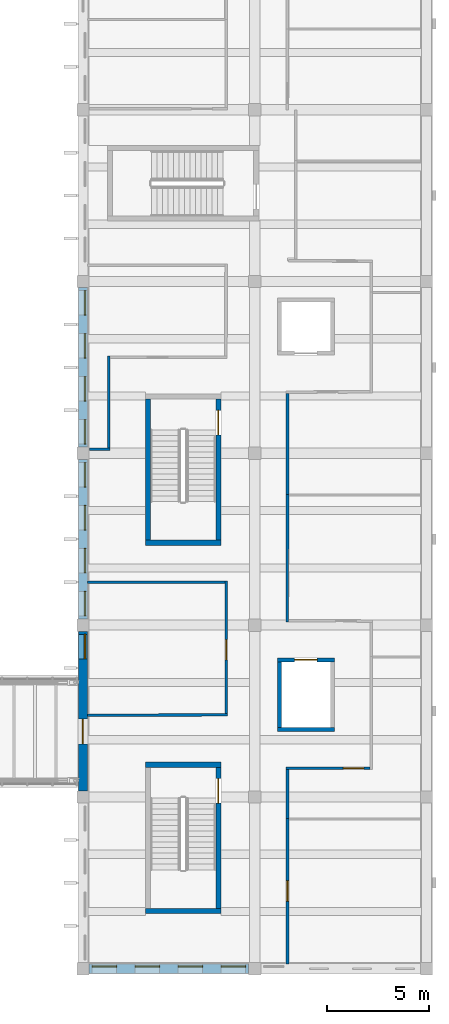
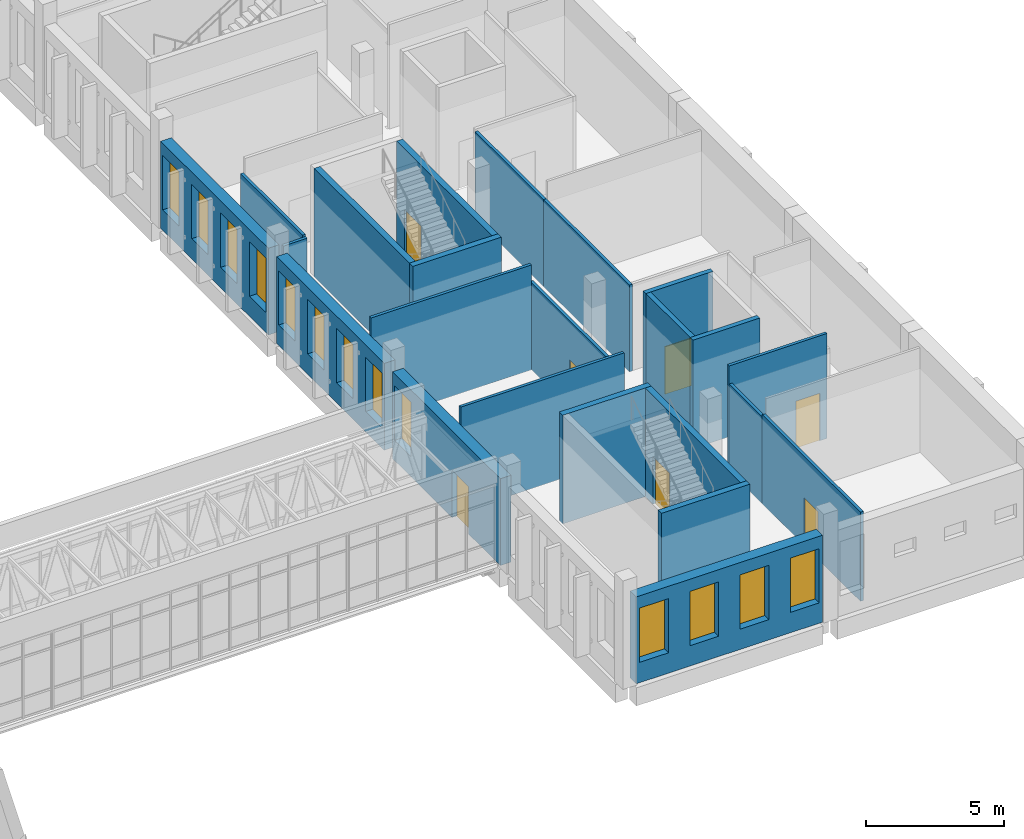
# One storey, part 62 of 119: 23 walls, 13 windows, 7 doors, 20 openings.
"""IFC4 building model written with IfcOpenShell, lengths in metres."""

from ifc_helpers import new_model, si_unit, direction, frame, frame_2d, origin, place, context, subcontext, project, spatial, rectangle, extrude, material, layer, layer_set, type_object, element, fill, save


model = new_model("IFC4")

# Units and contexts
model_context = context("Model", 3, precision=1e-05, world=origin(), true_north=direction((0.0, 1.0)))
body_context = subcontext(model_context, "Body", "Model", "MODEL_VIEW")
ifc_project = project(units=[si_unit("LENGTHUNIT", "METRE"), si_unit("AREAUNIT", "SQUARE_METRE"), si_unit("VOLUMEUNIT", "CUBIC_METRE"), si_unit("PLANEANGLEUNIT", "RADIAN"), si_unit("MASSUNIT", "GRAM", prefix="KILO")], contexts=[model_context])

# Site, building, storey
site_placement = place(None, origin())
site = spatial("IfcSite", under=ifc_project, at=site_placement, CompositionType="ELEMENT")
building_placement = place(site_placement, origin())
building = spatial("IfcBuilding", under=site, at=building_placement, Name="Larchfold Concert Hall", CompositionType="ELEMENT")
storey_placement = place(building_placement, frame((0.0, 0.0, 4.800048828125)))
storey = spatial("IfcBuildingStorey", under=building, at=storey_placement, Name="L01", CompositionType="ELEMENT", Elevation=4.800048828125)

# Wall, opening, door
ifc_material_1 = material(Name="Plasterboard partition on steel studs", Category="steel")
ifc_layer_1 = layer(ifc_material_1, 0.125)
ifc_layer_set_1 = layer_set([ifc_layer_1], Name="Plasterboard partition on steel studs")
wall_type_1 = type_object("IfcWallType", Name="Corridor partition 125 EI 60", PredefinedType="PARTITIONING", material=ifc_layer_set_1)
wall_1_placement = place(storey_placement, frame((94.60107421875, 7.94091796875, 0.0), z_axis=(0.0, 0.0, 1.0), x_axis=(-0.0001372401, -0.999999990583, 0.0)))
wall_1 = element("IfcWall", 1, at=wall_1_placement, inside=storey, type_object=wall_type_1, Name="Partition IW0026", PredefinedType="PARTITIONING", context=body_context, shape_type="SweptSolid", body=[
    extrude(rectangle(XDim=7.11572265625, YDim=0.125, at=frame_2d((3.557861328125, 0.0))), origin(), (0.0, 0.0, 1.0), 3.93994140625),
])
opening_1_placement = place(wall_1_placement, frame((3.04052734375, 0.0, 0.0)))
opening_1 = element("IfcOpeningElement", 2, at=opening_1_placement, cuts=wall_1, Name="Opening D-L01-120", PredefinedType="OPENING", context=body_context, shape_type="SweptSolid", body=[
    extrude(rectangle(XDim=1.0, YDim=2.10009765625, at=frame_2d((0.5, 1.050048828125))), frame((0.0, 0.072509765625, 0.0), z_axis=(0.0, -1.0, 0.0), x_axis=(1.0, 0.0, 0.0)), (0.0, 0.0, 1.0), 0.14501953125),
])
ifc_material_2 = material(Name="Timber door leaf", Category="wood")
door_type_1 = type_object("IfcDoorType", Name="Dressing room door 1000 x 2100 FD30S", OperationType="SINGLE_SWING_LEFT", PredefinedType="DOOR", material=ifc_material_2)
door_1_placement = place(opening_1_placement, origin())
door_1 = element("IfcDoor", 3, at=door_1_placement, inside=storey, type_object=door_type_1, Name="Door D-L01-120", OperationType="SINGLE_SWING_LEFT", OverallHeight=2.10009765625, OverallWidth=1.0, PredefinedType="DOOR", context=body_context, shape_type="SweptSolid", body=[
    extrude(rectangle(XDim=1.0, YDim=2.10009765625, at=frame_2d((0.5, 1.050048828125))), frame((0.0, 0.02490234375, 0.0), z_axis=(0.0, -1.0, 0.0), x_axis=(1.0, 0.0, 0.0)), (0.0, 0.0, 1.0), 0.050048828125),
])
fill(opening_1, door_1)

wall_2_placement = place(storey_placement, frame((98.636474609375, 10.40087890625, 0.0), z_axis=(0.0, 0.0, 1.0), x_axis=(-0.999998507473, -0.001727730516, 0.0)))
wall_2 = element("IfcWall", 4, at=wall_2_placement, inside=storey, type_object=wall_type_1, Name="Partition IW0028", PredefinedType="PARTITIONING", context=body_context, shape_type="SweptSolid", body=[
    extrude(rectangle(XDim=4.097900390625, YDim=0.125, at=frame_2d((2.048828125, 0.0))), origin(), (0.0, 0.0, 1.0), 4.639892578125),
])
opening_2_placement = place(wall_2_placement, frame((0.305908203125, 0.0, 0.0)))
opening_2 = element("IfcOpeningElement", 5, at=opening_2_placement, cuts=wall_2, Name="Opening D-L01-121", PredefinedType="OPENING", context=body_context, shape_type="SweptSolid", body=[
    extrude(rectangle(XDim=1.0, YDim=2.10009765625, at=frame_2d((0.5, 1.050048828125))), frame((0.0, 0.072509765625, 0.0), z_axis=(0.0, -1.0, 0.0), x_axis=(1.0, 0.0, 0.0)), (0.0, 0.0, 1.0), 0.14501953125),
])
door_2_placement = place(opening_2_placement, origin())
door_2 = element("IfcDoor", 6, at=door_2_placement, inside=storey, type_object=door_type_1, Name="Door D-L01-121", OperationType="SINGLE_SWING_RIGHT", OverallHeight=2.10009765625, OverallWidth=1.0, PredefinedType="DOOR", context=body_context, shape_type="SweptSolid", body=[
    extrude(rectangle(XDim=1.0, YDim=2.10009765625, at=frame_2d((0.5, 1.050048828125))), frame((0.0, 0.02490234375, 0.0), z_axis=(0.0, -1.0, 0.0), x_axis=(1.0, 0.0, 0.0)), (0.0, 0.0, 1.0), 0.050048828125),
])
fill(opening_2, door_2)

# Walls
wall_3_placement = place(storey_placement, frame((94.60107421875, 10.33154296875, 0.0), z_axis=(0.0, 0.0, 1.0), x_axis=(0.0, -1.0, 0.0)))
element("IfcWall", 7, at=wall_3_placement, inside=storey, type_object=wall_type_1, Name="Partition IW0029", PredefinedType="PARTITIONING", context=body_context, shape_type="SweptSolid", body=[
    extrude(rectangle(XDim=2.390625, YDim=0.125, at=frame_2d((1.1953125, 0.0))), origin(), (0.0, 0.0, 1.0), 3.840087890625),
])
wall_4_placement = place(storey_placement, frame((84.8251953125, 13.0, 0.0), z_axis=(0.0, 0.0, 1.0), x_axis=(0.999999127538, 0.001320955649, 0.0)))
element("IfcWall", 8, at=wall_4_placement, inside=storey, type_object=wall_type_1, Name="Partition IW0030", PredefinedType="PARTITIONING", context=body_context, shape_type="SweptSolid", body=[
    extrude(rectangle(XDim=6.83837890625, YDim=0.125, at=frame_2d((3.419189453125, 0.0))), origin(), (0.0, 0.0, 1.0), 4.639892578125),
])

# Wall, opening, door
wall_5_placement = place(storey_placement, frame((91.60107421875, 13.071533203125, 0.0), z_axis=(0.0, 0.0, 1.0), x_axis=(-0.000639506321, 0.999999795516, 0.0)))
wall_5 = element("IfcWall", 9, at=wall_5_placement, inside=storey, type_object=wall_type_1, Name="Partition IW0031", PredefinedType="PARTITIONING", context=body_context, shape_type="SweptSolid", body=[
    extrude(rectangle(XDim=6.489990234375, YDim=0.125, at=frame_2d((3.2451171875, 0.0))), origin(), (0.0, 0.0, 1.0), 3.840087890625),
])
opening_3_placement = place(wall_5_placement, frame((2.62353515625, 0.0, 0.0)))
opening_3 = element("IfcOpeningElement", 10, at=opening_3_placement, cuts=wall_5, Name="Opening D-L01-122", PredefinedType="OPENING", context=body_context, shape_type="SweptSolid", body=[
    extrude(rectangle(XDim=1.0, YDim=2.10009765625, at=frame_2d((0.5, 1.050048828125))), frame((0.0, 0.072509765625, 0.0), z_axis=(0.0, -1.0, 0.0), x_axis=(1.0, 0.0, 0.0)), (0.0, 0.0, 1.0), 0.14501953125),
])
door_3_placement = place(opening_3_placement, origin())
door_3 = element("IfcDoor", 11, at=door_3_placement, inside=storey, type_object=door_type_1, Name="Door D-L01-122", OperationType="SINGLE_SWING_RIGHT", OverallHeight=2.10009765625, OverallWidth=1.0, PredefinedType="DOOR", context=body_context, shape_type="SweptSolid", body=[
    extrude(rectangle(XDim=1.0, YDim=2.10009765625, at=frame_2d((0.5, 1.050048828125))), frame((0.0, 0.02490234375, 0.0), z_axis=(0.0, -1.0, 0.0), x_axis=(1.0, 0.0, 0.0)), (0.0, 0.0, 1.0), 0.050048828125),
])
fill(opening_3, door_3)

# Walls
wall_6_placement = place(storey_placement, frame((91.534423828125, 19.4990234375, 0.0), z_axis=(0.0, 0.0, 1.0), x_axis=(-0.999999989407, 0.000145555109, 0.0)))
element("IfcWall", 12, at=wall_6_placement, inside=storey, type_object=wall_type_1, Name="Partition IW0032", PredefinedType="PARTITIONING", context=body_context, shape_type="SweptSolid", body=[
    extrude(rectangle(XDim=6.709228515625, YDim=0.125, at=frame_2d((3.3544921875, 0.0))), origin(), (0.0, 0.0, 1.0), 4.639892578125),
])
wall_7_placement = place(storey_placement, frame((94.60009765625, 23.781982421875, 0.0), z_axis=(0.0, 0.0, 1.0), x_axis=(-0.00019576367, -0.999999980838, 0.0)))
element("IfcWall", 13, at=wall_7_placement, inside=storey, type_object=wall_type_1, Name="Partition IW0033", PredefinedType="PARTITIONING", context=body_context, shape_type="SweptSolid", body=[
    extrude(rectangle(XDim=6.235595703125, YDim=0.125, at=frame_2d((3.11767578125, 0.0))), origin(), (0.0, 0.0, 1.0), 3.840087890625),
])
wall_8_placement = place(storey_placement, frame((94.60009765625, 28.7314453125, 0.0), z_axis=(0.0, 0.0, 1.0), x_axis=(0.0, -1.0, 0.0)))
element("IfcWall", 14, at=wall_8_placement, inside=storey, type_object=wall_type_1, Name="Partition IW0038", PredefinedType="PARTITIONING", context=body_context, shape_type="SweptSolid", body=[
    extrude(rectangle(XDim=4.949462890625, YDim=0.125, at=frame_2d((2.474609375, 0.0))), origin(), (0.0, 0.0, 1.0), 3.840087890625),
])
wall_9_placement = place(storey_placement, frame((84.920166015625, 26.000244140625, 0.0), z_axis=(0.0, 0.0, 1.0), x_axis=(0.999956395289, 0.009338496687, 0.0)))
element("IfcWall", 15, at=wall_9_placement, inside=storey, type_object=wall_type_1, Name="Partition IW0039", PredefinedType="PARTITIONING", context=body_context, shape_type="SweptSolid", body=[
    extrude(rectangle(XDim=0.993408203125, YDim=0.125, at=frame_2d((0.49658203125, 0.0))), origin(), (0.0, 0.0, 1.0), 3.840087890625),
])
wall_10_placement = place(storey_placement, frame((85.85107421875, 26.071533203125, 0.0), z_axis=(0.0, 0.0, 1.0), x_axis=(0.0, 1.0, 0.0)))
element("IfcWall", 16, at=wall_10_placement, inside=storey, type_object=wall_type_1, Name="Partition IW0040", PredefinedType="PARTITIONING", context=body_context, shape_type="SweptSolid", body=[
    extrude(rectangle(XDim=4.489990234375, YDim=0.125, at=frame_2d((2.2451171875, 0.0))), origin(), (0.0, 0.0, 1.0), 3.93994140625),
])
ifc_material_3 = material(Name="Concrete C40/50", Category="concrete")
ifc_layer_2 = layer(ifc_material_3, 0.199951171875)
ifc_layer_set_2 = layer_set([ifc_layer_2], Name="Concrete C40/50")
wall_type_2 = type_object("IfcWallType", Name="Wall RC 200 lift shaft", PredefinedType="SOLIDWALL", material=ifc_layer_set_2)
wall_11_placement = place(storey_placement, frame((94.10009765625, 12.300048828125, 0.0), z_axis=(0.0, 0.0, 1.0), x_axis=(1.0, 0.0, 0.0)))
element("IfcWall", 17, at=wall_11_placement, inside=storey, type_object=wall_type_2, Name="Wall W0164", PredefinedType="SOLIDWALL", context=body_context, shape_type="SweptSolid", body=[
    extrude(rectangle(XDim=2.7998046875, YDim=0.199951171875, at=frame_2d((1.39990234375, 0.0))), origin(), (0.0, 0.0, 1.0), 4.800048828125),
])

# Wall, opening, door
wall_12_placement = place(storey_placement, frame((94.10009765625, 15.699951171875, 0.0), z_axis=(0.0, 0.0, 1.0), x_axis=(1.0, 0.0, 0.0)))
wall_12 = element("IfcWall", 18, at=wall_12_placement, inside=storey, type_object=wall_type_2, Name="Wall W0165", PredefinedType="SOLIDWALL", context=body_context, shape_type="SweptSolid", body=[
    extrude(rectangle(XDim=2.7998046875, YDim=0.199951171875, at=frame_2d((1.39990234375, 0.0))), origin(), (0.0, 0.0, 1.0), 4.800048828125),
])
opening_4_placement = place(wall_12_placement, frame((0.849853515625, 0.0, 0.0)))
opening_4 = element("IfcOpeningElement", 19, at=opening_4_placement, cuts=wall_12, Name="Opening LD-LF06", PredefinedType="OPENING", context=body_context, shape_type="SweptSolid", body=[
    extrude(rectangle(XDim=1.10009765625, YDim=2.10009765625, at=frame_2d((0.550048828125, 1.050048828125))), frame((0.0, 0.10986328125, 0.0), z_axis=(0.0, -1.0, 0.0), x_axis=(1.0, 0.0, 0.0)), (0.0, 0.0, 1.0), 0.219970703125),
])
ifc_material_4 = material(Name="Stainless steel sliding leaves", Category="steel")
door_type_2 = type_object("IfcDoorType", Name="Lift landing door sliding 1100 x 2100", OperationType="SLIDING_TO_LEFT", PredefinedType="DOOR", material=ifc_material_4)
door_4_placement = place(opening_4_placement, origin())
door_4 = element("IfcDoor", 20, at=door_4_placement, inside=storey, type_object=door_type_2, Name="Lift landing door LF06", OperationType="SLIDING_TO_LEFT", OverallHeight=2.10009765625, OverallWidth=1.10009765625, PredefinedType="DOOR", context=body_context, shape_type="SweptSolid", body=[
    extrude(rectangle(XDim=1.10009765625, YDim=2.10009765625, at=frame_2d((0.550048828125, 1.050048828125))), frame((0.0, 0.02490234375, 0.0), z_axis=(0.0, -1.0, 0.0), x_axis=(1.0, 0.0, 0.0)), (0.0, 0.0, 1.0), 0.050048828125),
])
fill(opening_4, door_4)

# Walls
wall_13_placement = place(storey_placement, frame((94.2001953125, 12.39990234375, 0.0), z_axis=(0.0, 0.0, 1.0), x_axis=(0.0, 1.0, 0.0)))
element("IfcWall", 21, at=wall_13_placement, inside=storey, type_object=wall_type_2, Name="Wall W0166", PredefinedType="SOLIDWALL", context=body_context, shape_type="SweptSolid", body=[
    extrude(rectangle(XDim=3.2001953125, YDim=0.199951171875, at=frame_2d((1.60009765625, 0.0))), origin(), (0.0, 0.0, 1.0), 4.800048828125),
])
ifc_material_5 = material(Name="Concrete C40/50", Category="concrete")
ifc_layer_3 = layer(ifc_material_5, 0.25)
ifc_layer_set_3 = layer_set([ifc_layer_3], Name="Concrete C40/50")
wall_type_3 = type_object("IfcWallType", Name="Wall RC 250 stair core", PredefinedType="SOLIDWALL", material=ifc_layer_set_3)
for number, where, z_axis, x_axis, name in (
    (22, (87.64990234375, 3.425048828125, 0.0), (0.0, 0.0, 1.0), (1.0, 0.0, 0.0), "Wall W0080"),
    (23, (87.64990234375, 10.574951171875, 0.0), (0.0, 0.0, 1.0), (1.0, 0.0, 0.0), "Wall W0081"),
):
    element("IfcWall", number, at=place(storey_placement, frame(where, z_axis=z_axis, x_axis=x_axis)), inside=storey, type_object=wall_type_3, Name=name, PredefinedType="SOLIDWALL", context=body_context, shape_type="SweptSolid", body=[
        extrude(rectangle(XDim=3.7001953125, YDim=0.25, at=frame_2d((1.85009765625, 0.0))), origin(), (0.0, 0.0, 1.0), 4.800048828125),
    ])

# Wall, opening, door
wall_14_placement = place(storey_placement, frame((91.22509765625, 3.550048828125, 0.0), z_axis=(0.0, 0.0, 1.0), x_axis=(0.0, 1.0, 0.0)))
wall_14 = element("IfcWall", 24, at=wall_14_placement, inside=storey, type_object=wall_type_3, Name="Wall W0083", PredefinedType="SOLIDWALL", context=body_context, shape_type="SweptSolid", body=[
    extrude(rectangle(XDim=6.89990234375, YDim=0.25, at=frame_2d((3.449951171875, 0.0))), origin(), (0.0, 0.0, 1.0), 4.800048828125),
])
opening_5_placement = place(wall_14_placement, frame((5.14990234375, 0.0, 0.0)))
opening_5 = element("IfcOpeningElement", 25, at=opening_5_placement, cuts=wall_14, Name="Opening D-L01-173", PredefinedType="OPENING", context=body_context, shape_type="SweptSolid", body=[
    extrude(rectangle(XDim=1.199951171875, YDim=2.10009765625, at=frame_2d((0.60009765625, 1.050048828125))), frame((0.0, 0.135009765625, 0.0), z_axis=(0.0, -1.0, 0.0), x_axis=(1.0, 0.0, 0.0)), (0.0, 0.0, 1.0), 0.27001953125),
])
ifc_material_6 = material(Name="Timber door leaf", Category="wood")
door_type_3 = type_object("IfcDoorType", Name="Stair enclosure door pair 1200 x 2100 FD60", OperationType="SINGLE_SWING_LEFT", PredefinedType="DOOR", material=ifc_material_6)
door_5_placement = place(opening_5_placement, origin())
door_5 = element("IfcDoor", 26, at=door_5_placement, inside=storey, type_object=door_type_3, Name="Door D-L01-173", OperationType="DOUBLE_DOOR_SINGLE_SWING", OverallHeight=2.10009765625, OverallWidth=1.199951171875, PredefinedType="DOOR", context=body_context, shape_type="SweptSolid", body=[
    extrude(rectangle(XDim=1.199951171875, YDim=2.10009765625, at=frame_2d((0.60009765625, 1.050048828125))), frame((0.0, 0.02490234375, 0.0), z_axis=(0.0, -1.0, 0.0), x_axis=(1.0, 0.0, 0.0)), (0.0, 0.0, 1.0), 0.050048828125),
])
fill(opening_5, door_5)

# Walls
wall_15_placement = place(storey_placement, frame((87.64990234375, 21.425048828125, 0.0), z_axis=(0.0, 0.0, 1.0), x_axis=(1.0, 0.0, 0.0)))
element("IfcWall", 27, at=wall_15_placement, inside=storey, type_object=wall_type_3, Name="Wall W0084", PredefinedType="SOLIDWALL", context=body_context, shape_type="SweptSolid", body=[
    extrude(rectangle(XDim=3.7001953125, YDim=0.25, at=frame_2d((1.85009765625, 0.0))), origin(), (0.0, 0.0, 1.0), 4.800048828125),
])
wall_16_placement = place(storey_placement, frame((87.77490234375, 21.550048828125, 0.0), z_axis=(0.0, 0.0, 1.0), x_axis=(0.0, 1.0, 0.0)))
element("IfcWall", 28, at=wall_16_placement, inside=storey, type_object=wall_type_3, Name="Wall W0086", PredefinedType="SOLIDWALL", context=body_context, shape_type="SweptSolid", body=[
    extrude(rectangle(XDim=6.89990234375, YDim=0.25, at=frame_2d((3.449951171875, 0.0))), origin(), (0.0, 0.0, 1.0), 4.800048828125),
])

# Wall, opening, door
wall_17_placement = place(storey_placement, frame((91.22509765625, 21.550048828125, 0.0), z_axis=(0.0, 0.0, 1.0), x_axis=(0.0, 1.0, 0.0)))
wall_17 = element("IfcWall", 29, at=wall_17_placement, inside=storey, type_object=wall_type_3, Name="Wall W0087", PredefinedType="SOLIDWALL", context=body_context, shape_type="SweptSolid", body=[
    extrude(rectangle(XDim=6.89990234375, YDim=0.25, at=frame_2d((3.449951171875, 0.0))), origin(), (0.0, 0.0, 1.0), 4.800048828125),
])
opening_6_placement = place(wall_17_placement, frame((5.14990234375, 0.0, 0.0)))
opening_6 = element("IfcOpeningElement", 30, at=opening_6_placement, cuts=wall_17, Name="Opening D-L01-174", PredefinedType="OPENING", context=body_context, shape_type="SweptSolid", body=[
    extrude(rectangle(XDim=1.199951171875, YDim=2.10009765625, at=frame_2d((0.60009765625, 1.050048828125))), frame((0.0, 0.135009765625, 0.0), z_axis=(0.0, -1.0, 0.0), x_axis=(1.0, 0.0, 0.0)), (0.0, 0.0, 1.0), 0.27001953125),
])
door_6_placement = place(opening_6_placement, origin())
door_6 = element("IfcDoor", 31, at=door_6_placement, inside=storey, type_object=door_type_3, Name="Door D-L01-174", OperationType="DOUBLE_DOOR_SINGLE_SWING", OverallHeight=2.10009765625, OverallWidth=1.199951171875, PredefinedType="DOOR", context=body_context, shape_type="SweptSolid", body=[
    extrude(rectangle(XDim=1.199951171875, YDim=2.10009765625, at=frame_2d((0.60009765625, 1.050048828125))), frame((0.0, 0.02490234375, 0.0), z_axis=(0.0, -1.0, 0.0), x_axis=(1.0, 0.0, 0.0)), (0.0, 0.0, 1.0), 0.050048828125),
])
fill(opening_6, door_6)

# Wall, openings, windows
ifc_material_7 = material(Name="White render on mineral wool and block")
ifc_layer_4 = layer(ifc_material_7, 0.449951171875)
ifc_layer_set_4 = layer_set([ifc_layer_4], Name="White render on mineral wool and block")
wall_type_4 = type_object("IfcWallType", Name="White render infill wall 450", PredefinedType="SOLIDWALL", material=ifc_layer_set_4)
wall_18_placement = place(storey_placement, frame((84.60009765625, 33.89990234375, 0.0), z_axis=(0.0, 0.0, 1.0), x_axis=(0.0, -1.0, 0.0)))
wall_18 = element("IfcWall", 32, at=wall_18_placement, inside=storey, type_object=wall_type_4, Name="Infill wall W5139", PredefinedType="SOLIDWALL", context=body_context, shape_type="SweptSolid", body=[
    extrude(rectangle(XDim=7.7998046875, YDim=0.449951171875, at=frame_2d((3.89990234375, 0.0))), origin(), (0.0, 0.0, 1.0), 3.840087890625),
])
opening_7_placement = place(wall_18_placement, frame((6.449951171875, 0.0, 0.89990234375)))
opening_7 = element("IfcOpeningElement", 33, at=opening_7_placement, cuts=wall_18, Name="Opening WN-L01-077", PredefinedType="OPENING", context=body_context, shape_type="SweptSolid", body=[
    extrude(rectangle(XDim=1.199951171875, YDim=2.39990234375, at=frame_2d((0.60009765625, 1.199951171875))), frame((0.0, 0.23486328125, 0.0), z_axis=(0.0, -1.0, 0.0), x_axis=(1.0, 0.0, 0.0)), (0.0, 0.0, 1.0), 0.469970703125),
])
opening_8_placement = place(wall_18_placement, frame((4.349853515625, 0.0, 0.89990234375)))
opening_8 = element("IfcOpeningElement", 34, at=opening_8_placement, cuts=wall_18, Name="Opening WN-L01-078", PredefinedType="OPENING", context=body_context, shape_type="SweptSolid", body=[
    extrude(rectangle(XDim=1.199951171875, YDim=2.39990234375, at=frame_2d((0.60009765625, 1.199951171875))), frame((0.0, 0.23486328125, 0.0), z_axis=(0.0, -1.0, 0.0), x_axis=(1.0, 0.0, 0.0)), (0.0, 0.0, 1.0), 0.469970703125),
])
opening_9_placement = place(wall_18_placement, frame((2.25, 0.0, 0.89990234375)))
opening_9 = element("IfcOpeningElement", 35, at=opening_9_placement, cuts=wall_18, Name="Opening WN-L01-079", PredefinedType="OPENING", context=body_context, shape_type="SweptSolid", body=[
    extrude(rectangle(XDim=1.199951171875, YDim=2.39990234375, at=frame_2d((0.60009765625, 1.199951171875))), frame((0.0, 0.23486328125, 0.0), z_axis=(0.0, -1.0, 0.0), x_axis=(1.0, 0.0, 0.0)), (0.0, 0.0, 1.0), 0.469970703125),
])
opening_10_placement = place(wall_18_placement, frame((0.14990234375, 0.0, 0.89990234375)))
opening_10 = element("IfcOpeningElement", 36, at=opening_10_placement, cuts=wall_18, Name="Opening WN-L01-080", PredefinedType="OPENING", context=body_context, shape_type="SweptSolid", body=[
    extrude(rectangle(XDim=1.199951171875, YDim=2.39990234375, at=frame_2d((0.60009765625, 1.199951171875))), frame((0.0, 0.23486328125, 0.0), z_axis=(0.0, -1.0, 0.0), x_axis=(1.0, 0.0, 0.0)), (0.0, 0.0, 1.0), 0.469970703125),
])
ifc_material_8 = material(Name="Anodised graphite aluminium frame with glass", Category="aluminium")
window_type = type_object("IfcWindowType", Name="Slot window 1200x2400", PartitioningType="SINGLE_PANEL", PredefinedType="WINDOW", material=ifc_material_8)
window_1_placement = place(opening_7_placement, origin())
window_1 = element("IfcWindow", 37, at=window_1_placement, inside=storey, type_object=window_type, Name="Window WN-L01-077", OverallHeight=2.39990234375, OverallWidth=1.199951171875, PartitioningType="SINGLE_PANEL", PredefinedType="WINDOW", context=body_context, shape_type="SweptSolid", body=[
    extrude(rectangle(XDim=1.199951171875, YDim=2.39990234375, at=frame_2d((0.60009765625, 1.199951171875))), frame((0.0, 0.135009765625, 0.0), z_axis=(0.0, -1.0, 0.0), x_axis=(1.0, 0.0, 0.0)), (0.0, 0.0, 1.0), 0.06005859375),
])
fill(opening_7, window_1)
window_2_placement = place(opening_8_placement, origin())
window_2 = element("IfcWindow", 38, at=window_2_placement, inside=storey, type_object=window_type, Name="Window WN-L01-078", OverallHeight=2.39990234375, OverallWidth=1.199951171875, PartitioningType="SINGLE_PANEL", PredefinedType="WINDOW", context=body_context, shape_type="SweptSolid", body=[
    extrude(rectangle(XDim=1.199951171875, YDim=2.39990234375, at=frame_2d((0.60009765625, 1.199951171875))), frame((0.0, 0.135009765625, 0.0), z_axis=(0.0, -1.0, 0.0), x_axis=(1.0, 0.0, 0.0)), (0.0, 0.0, 1.0), 0.06005859375),
])
fill(opening_8, window_2)
window_3_placement = place(opening_9_placement, origin())
window_3 = element("IfcWindow", 39, at=window_3_placement, inside=storey, type_object=window_type, Name="Window WN-L01-079", OverallHeight=2.39990234375, OverallWidth=1.199951171875, PartitioningType="SINGLE_PANEL", PredefinedType="WINDOW", context=body_context, shape_type="SweptSolid", body=[
    extrude(rectangle(XDim=1.199951171875, YDim=2.39990234375, at=frame_2d((0.60009765625, 1.199951171875))), frame((0.0, 0.135009765625, 0.0), z_axis=(0.0, -1.0, 0.0), x_axis=(1.0, 0.0, 0.0)), (0.0, 0.0, 1.0), 0.06005859375),
])
fill(opening_9, window_3)
window_4_placement = place(opening_10_placement, origin())
window_4 = element("IfcWindow", 40, at=window_4_placement, inside=storey, type_object=window_type, Name="Window WN-L01-080", OverallHeight=2.39990234375, OverallWidth=1.199951171875, PartitioningType="SINGLE_PANEL", PredefinedType="WINDOW", context=body_context, shape_type="SweptSolid", body=[
    extrude(rectangle(XDim=1.199951171875, YDim=2.39990234375, at=frame_2d((0.60009765625, 1.199951171875))), frame((0.0, 0.135009765625, 0.0), z_axis=(0.0, -1.0, 0.0), x_axis=(1.0, 0.0, 0.0)), (0.0, 0.0, 1.0), 0.06005859375),
])
fill(opening_10, window_4)

wall_19_placement = place(storey_placement, frame((84.60009765625, 25.5, 0.0), z_axis=(0.0, 0.0, 1.0), x_axis=(0.0, -1.0, 0.0)))
wall_19 = element("IfcWall", 41, at=wall_19_placement, inside=storey, type_object=wall_type_4, Name="Infill wall W5140", PredefinedType="SOLIDWALL", context=body_context, shape_type="SweptSolid", body=[
    extrude(rectangle(XDim=7.800048828125, YDim=0.449951171875, at=frame_2d((3.89990234375, 0.0))), origin(), (0.0, 0.0, 1.0), 3.840087890625),
])
opening_11_placement = place(wall_19_placement, frame((6.449951171875, 0.0, 0.89990234375)))
opening_11 = element("IfcOpeningElement", 42, at=opening_11_placement, cuts=wall_19, Name="Opening WN-L01-081", PredefinedType="OPENING", context=body_context, shape_type="SweptSolid", body=[
    extrude(rectangle(XDim=1.199951171875, YDim=2.39990234375, at=frame_2d((0.60009765625, 1.199951171875))), frame((0.0, 0.23486328125, 0.0), z_axis=(0.0, -1.0, 0.0), x_axis=(1.0, 0.0, 0.0)), (0.0, 0.0, 1.0), 0.469970703125),
])
opening_12_placement = place(wall_19_placement, frame((4.35009765625, 0.0, 0.89990234375)))
opening_12 = element("IfcOpeningElement", 43, at=opening_12_placement, cuts=wall_19, Name="Opening WN-L01-082", PredefinedType="OPENING", context=body_context, shape_type="SweptSolid", body=[
    extrude(rectangle(XDim=1.199951171875, YDim=2.39990234375, at=frame_2d((0.60009765625, 1.199951171875))), frame((0.0, 0.23486328125, 0.0), z_axis=(0.0, -1.0, 0.0), x_axis=(1.0, 0.0, 0.0)), (0.0, 0.0, 1.0), 0.469970703125),
])
opening_13_placement = place(wall_19_placement, frame((2.25, 0.0, 0.89990234375)))
opening_13 = element("IfcOpeningElement", 44, at=opening_13_placement, cuts=wall_19, Name="Opening WN-L01-083", PredefinedType="OPENING", context=body_context, shape_type="SweptSolid", body=[
    extrude(rectangle(XDim=1.199951171875, YDim=2.39990234375, at=frame_2d((0.60009765625, 1.199951171875))), frame((0.0, 0.23486328125, 0.0), z_axis=(0.0, -1.0, 0.0), x_axis=(1.0, 0.0, 0.0)), (0.0, 0.0, 1.0), 0.469970703125),
])
opening_14_placement = place(wall_19_placement, frame((0.14990234375, 0.0, 0.89990234375)))
opening_14 = element("IfcOpeningElement", 45, at=opening_14_placement, cuts=wall_19, Name="Opening WN-L01-084", PredefinedType="OPENING", context=body_context, shape_type="SweptSolid", body=[
    extrude(rectangle(XDim=1.199951171875, YDim=2.39990234375, at=frame_2d((0.60009765625, 1.199951171875))), frame((0.0, 0.23486328125, 0.0), z_axis=(0.0, -1.0, 0.0), x_axis=(1.0, 0.0, 0.0)), (0.0, 0.0, 1.0), 0.469970703125),
])
window_5_placement = place(opening_11_placement, origin())
window_5 = element("IfcWindow", 46, at=window_5_placement, inside=storey, type_object=window_type, Name="Window WN-L01-081", OverallHeight=2.39990234375, OverallWidth=1.199951171875, PartitioningType="SINGLE_PANEL", PredefinedType="WINDOW", context=body_context, shape_type="SweptSolid", body=[
    extrude(rectangle(XDim=1.199951171875, YDim=2.39990234375, at=frame_2d((0.60009765625, 1.199951171875))), frame((0.0, 0.135009765625, 0.0), z_axis=(0.0, -1.0, 0.0), x_axis=(1.0, 0.0, 0.0)), (0.0, 0.0, 1.0), 0.06005859375),
])
fill(opening_11, window_5)
window_6_placement = place(opening_12_placement, origin())
window_6 = element("IfcWindow", 47, at=window_6_placement, inside=storey, type_object=window_type, Name="Window WN-L01-082", OverallHeight=2.39990234375, OverallWidth=1.199951171875, PartitioningType="SINGLE_PANEL", PredefinedType="WINDOW", context=body_context, shape_type="SweptSolid", body=[
    extrude(rectangle(XDim=1.199951171875, YDim=2.39990234375, at=frame_2d((0.60009765625, 1.199951171875))), frame((0.0, 0.135009765625, 0.0), z_axis=(0.0, -1.0, 0.0), x_axis=(1.0, 0.0, 0.0)), (0.0, 0.0, 1.0), 0.06005859375),
])
fill(opening_12, window_6)
window_7_placement = place(opening_13_placement, origin())
window_7 = element("IfcWindow", 48, at=window_7_placement, inside=storey, type_object=window_type, Name="Window WN-L01-083", OverallHeight=2.39990234375, OverallWidth=1.199951171875, PartitioningType="SINGLE_PANEL", PredefinedType="WINDOW", context=body_context, shape_type="SweptSolid", body=[
    extrude(rectangle(XDim=1.199951171875, YDim=2.39990234375, at=frame_2d((0.60009765625, 1.199951171875))), frame((0.0, 0.135009765625, 0.0), z_axis=(0.0, -1.0, 0.0), x_axis=(1.0, 0.0, 0.0)), (0.0, 0.0, 1.0), 0.06005859375),
])
fill(opening_13, window_7)
window_8_placement = place(opening_14_placement, origin())
window_8 = element("IfcWindow", 49, at=window_8_placement, inside=storey, type_object=window_type, Name="Window WN-L01-084", OverallHeight=2.39990234375, OverallWidth=1.199951171875, PartitioningType="SINGLE_PANEL", PredefinedType="WINDOW", context=body_context, shape_type="SweptSolid", body=[
    extrude(rectangle(XDim=1.199951171875, YDim=2.39990234375, at=frame_2d((0.60009765625, 1.199951171875))), frame((0.0, 0.135009765625, 0.0), z_axis=(0.0, -1.0, 0.0), x_axis=(1.0, 0.0, 0.0)), (0.0, 0.0, 1.0), 0.06005859375),
])
fill(opening_14, window_8)

# Wall, openings, window, door
wall_20_placement = place(storey_placement, frame((84.60009765625, 17.099853515625, 0.0), z_axis=(0.0, 0.0, 1.0), x_axis=(0.0, -1.0, 0.0)))
wall_20 = element("IfcWall", 50, at=wall_20_placement, inside=storey, type_object=wall_type_4, Name="Infill wall W5141", PredefinedType="SOLIDWALL", context=body_context, shape_type="SweptSolid", body=[
    extrude(rectangle(XDim=7.7998046875, YDim=0.449951171875, at=frame_2d((3.89990234375, 0.0))), origin(), (0.0, 0.0, 1.0), 3.840087890625),
])
opening_15_placement = place(wall_20_placement, frame((0.14990234375, 0.0, 0.89990234375)))
opening_15 = element("IfcOpeningElement", 51, at=opening_15_placement, cuts=wall_20, Name="Opening WN-L01-085", PredefinedType="OPENING", context=body_context, shape_type="SweptSolid", body=[
    extrude(rectangle(XDim=1.199951171875, YDim=2.39990234375, at=frame_2d((0.60009765625, 1.199951171875))), frame((0.0, 0.23486328125, 0.0), z_axis=(0.0, -1.0, 0.0), x_axis=(1.0, 0.0, 0.0)), (0.0, 0.0, 1.0), 0.469970703125),
])
opening_16_placement = place(wall_20_placement, frame((4.2998046875, 0.0, 0.0)))
opening_16 = element("IfcOpeningElement", 52, at=opening_16_placement, cuts=wall_20, Name="Opening D-L01-204", PredefinedType="OPENING", context=body_context, shape_type="SweptSolid", body=[
    extrude(rectangle(XDim=1.199951171875, YDim=2.10009765625, at=frame_2d((0.60009765625, 1.050048828125))), frame((0.0, 0.23486328125, 0.0), z_axis=(0.0, -1.0, 0.0), x_axis=(1.0, 0.0, 0.0)), (0.0, 0.0, 1.0), 0.469970703125),
])
window_9_placement = place(opening_15_placement, origin())
window_9 = element("IfcWindow", 53, at=window_9_placement, inside=storey, type_object=window_type, Name="Window WN-L01-085", OverallHeight=2.39990234375, OverallWidth=1.199951171875, PartitioningType="SINGLE_PANEL", PredefinedType="WINDOW", context=body_context, shape_type="SweptSolid", body=[
    extrude(rectangle(XDim=1.199951171875, YDim=2.39990234375, at=frame_2d((0.60009765625, 1.199951171875))), frame((0.0, 0.135009765625, 0.0), z_axis=(0.0, -1.0, 0.0), x_axis=(1.0, 0.0, 0.0)), (0.0, 0.0, 1.0), 0.06005859375),
])
fill(opening_15, window_9)
ifc_material_9 = material(Name="Anodised graphite aluminium door leaf", Category="aluminium")
door_type_4 = type_object("IfcDoorType", Name="Smoke door double 1200x2100", OperationType="DOUBLE_DOOR_SINGLE_SWING", PredefinedType="DOOR", material=ifc_material_9)
door_7_placement = place(opening_16_placement, origin())
door_7 = element("IfcDoor", 54, at=door_7_placement, inside=storey, type_object=door_type_4, Name="Door D-L01-204", OperationType="DOUBLE_DOOR_SINGLE_SWING", OverallHeight=2.10009765625, OverallWidth=1.199951171875, PredefinedType="DOOR", context=body_context, shape_type="SweptSolid", body=[
    extrude(rectangle(XDim=1.199951171875, YDim=2.10009765625, at=frame_2d((0.60009765625, 1.050048828125))), frame((0.0, 0.02490234375, 0.0), z_axis=(0.0, -1.0, 0.0), x_axis=(1.0, 0.0, 0.0)), (0.0, 0.0, 1.0), 0.050048828125),
])
fill(opening_16, door_7)

# Wall, openings, windows
wall_21_placement = place(storey_placement, frame((84.900146484375, 0.60009765625, 0.0), z_axis=(0.0, 0.0, 1.0), x_axis=(1.0, 0.0, 0.0)))
wall_21 = element("IfcWall", 55, at=wall_21_placement, inside=storey, type_object=wall_type_4, Name="Infill wall W5143", PredefinedType="SOLIDWALL", context=body_context, shape_type="SweptSolid", body=[
    extrude(rectangle(XDim=7.7998046875, YDim=0.449951171875, at=frame_2d((3.89990234375, 0.0))), origin(), (0.0, 0.0, 1.0), 3.840087890625),
])
opening_17_placement = place(wall_21_placement, frame((0.14990234375, 0.0, 0.89990234375)))
opening_17 = element("IfcOpeningElement", 56, at=opening_17_placement, cuts=wall_21, Name="Opening WN-L01-090", PredefinedType="OPENING", context=body_context, shape_type="SweptSolid", body=[
    extrude(rectangle(XDim=1.199951171875, YDim=2.39990234375, at=frame_2d((0.60009765625, 1.199951171875))), frame((0.0, 0.23486328125, 0.0), z_axis=(0.0, -1.0, 0.0), x_axis=(1.0, 0.0, 0.0)), (0.0, 0.0, 1.0), 0.469970703125),
])
opening_18_placement = place(wall_21_placement, frame((2.249755859375, 0.0, 0.89990234375)))
opening_18 = element("IfcOpeningElement", 57, at=opening_18_placement, cuts=wall_21, Name="Opening WN-L01-091", PredefinedType="OPENING", context=body_context, shape_type="SweptSolid", body=[
    extrude(rectangle(XDim=1.199951171875, YDim=2.39990234375, at=frame_2d((0.60009765625, 1.199951171875))), frame((0.0, 0.23486328125, 0.0), z_axis=(0.0, -1.0, 0.0), x_axis=(1.0, 0.0, 0.0)), (0.0, 0.0, 1.0), 0.469970703125),
])
opening_19_placement = place(wall_21_placement, frame((4.349853515625, 0.0, 0.89990234375)))
opening_19 = element("IfcOpeningElement", 58, at=opening_19_placement, cuts=wall_21, Name="Opening WN-L01-092", PredefinedType="OPENING", context=body_context, shape_type="SweptSolid", body=[
    extrude(rectangle(XDim=1.199951171875, YDim=2.39990234375, at=frame_2d((0.60009765625, 1.199951171875))), frame((0.0, 0.23486328125, 0.0), z_axis=(0.0, -1.0, 0.0), x_axis=(1.0, 0.0, 0.0)), (0.0, 0.0, 1.0), 0.469970703125),
])
opening_20_placement = place(wall_21_placement, frame((6.449951171875, 0.0, 0.89990234375)))
opening_20 = element("IfcOpeningElement", 59, at=opening_20_placement, cuts=wall_21, Name="Opening WN-L01-093", PredefinedType="OPENING", context=body_context, shape_type="SweptSolid", body=[
    extrude(rectangle(XDim=1.199951171875, YDim=2.39990234375, at=frame_2d((0.60009765625, 1.199951171875))), frame((0.0, 0.23486328125, 0.0), z_axis=(0.0, -1.0, 0.0), x_axis=(1.0, 0.0, 0.0)), (0.0, 0.0, 1.0), 0.469970703125),
])
window_10_placement = place(opening_17_placement, origin())
window_10 = element("IfcWindow", 60, at=window_10_placement, inside=storey, type_object=window_type, Name="Window WN-L01-090", OverallHeight=2.39990234375, OverallWidth=1.199951171875, PartitioningType="SINGLE_PANEL", PredefinedType="WINDOW", context=body_context, shape_type="SweptSolid", body=[
    extrude(rectangle(XDim=1.199951171875, YDim=2.39990234375, at=frame_2d((0.60009765625, 1.199951171875))), frame((0.0, 0.135009765625, 0.0), z_axis=(0.0, -1.0, 0.0), x_axis=(1.0, 0.0, 0.0)), (0.0, 0.0, 1.0), 0.06005859375),
])
fill(opening_17, window_10)
window_11_placement = place(opening_18_placement, origin())
window_11 = element("IfcWindow", 61, at=window_11_placement, inside=storey, type_object=window_type, Name="Window WN-L01-091", OverallHeight=2.39990234375, OverallWidth=1.199951171875, PartitioningType="SINGLE_PANEL", PredefinedType="WINDOW", context=body_context, shape_type="SweptSolid", body=[
    extrude(rectangle(XDim=1.199951171875, YDim=2.39990234375, at=frame_2d((0.60009765625, 1.199951171875))), frame((0.0, 0.135009765625, 0.0), z_axis=(0.0, -1.0, 0.0), x_axis=(1.0, 0.0, 0.0)), (0.0, 0.0, 1.0), 0.06005859375),
])
fill(opening_18, window_11)
window_12_placement = place(opening_19_placement, origin())
window_12 = element("IfcWindow", 62, at=window_12_placement, inside=storey, type_object=window_type, Name="Window WN-L01-092", OverallHeight=2.39990234375, OverallWidth=1.199951171875, PartitioningType="SINGLE_PANEL", PredefinedType="WINDOW", context=body_context, shape_type="SweptSolid", body=[
    extrude(rectangle(XDim=1.199951171875, YDim=2.39990234375, at=frame_2d((0.60009765625, 1.199951171875))), frame((0.0, 0.135009765625, 0.0), z_axis=(0.0, -1.0, 0.0), x_axis=(1.0, 0.0, 0.0)), (0.0, 0.0, 1.0), 0.06005859375),
])
fill(opening_19, window_12)
window_13_placement = place(opening_20_placement, origin())
window_13 = element("IfcWindow", 63, at=window_13_placement, inside=storey, type_object=window_type, Name="Window WN-L01-093", OverallHeight=2.39990234375, OverallWidth=1.199951171875, PartitioningType="SINGLE_PANEL", PredefinedType="WINDOW", context=body_context, shape_type="SweptSolid", body=[
    extrude(rectangle(XDim=1.199951171875, YDim=2.39990234375, at=frame_2d((0.60009765625, 1.199951171875))), frame((0.0, 0.135009765625, 0.0), z_axis=(0.0, -1.0, 0.0), x_axis=(1.0, 0.0, 0.0)), (0.0, 0.0, 1.0), 0.06005859375),
])
fill(opening_20, window_13)

save(model, "model.ifc")
